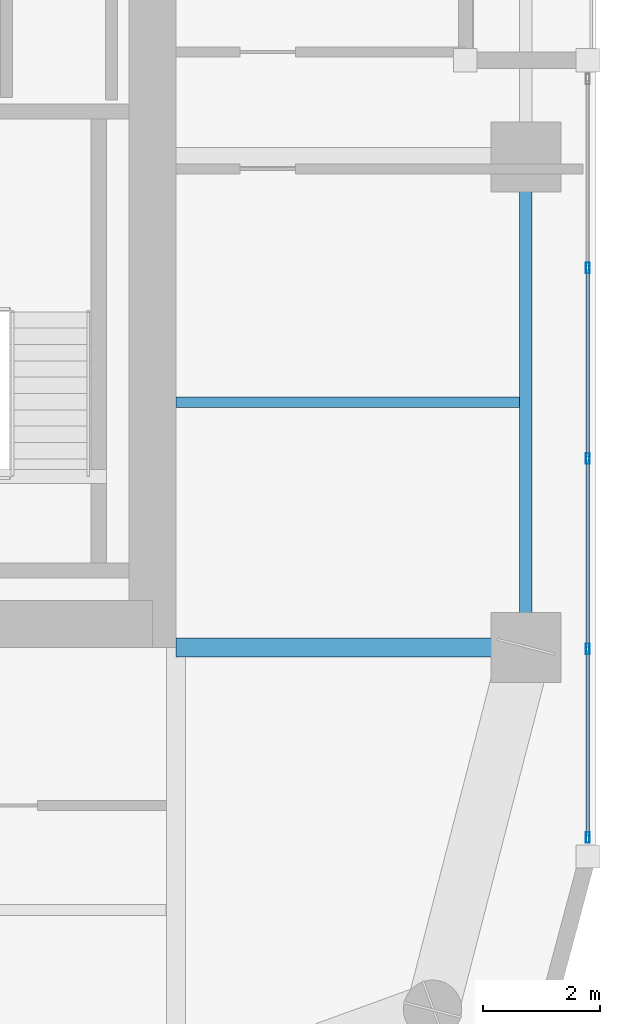
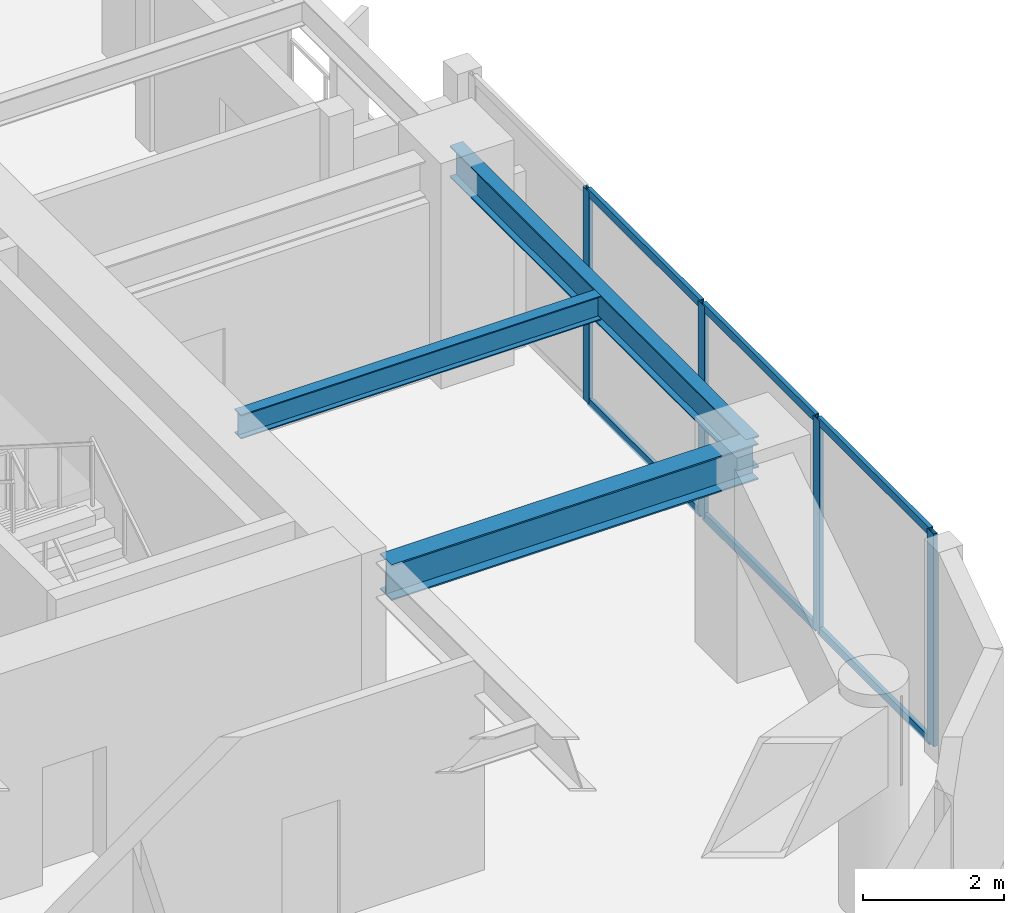
# One storey, part 9 of 30: 10 members, 3 beams, 1 element without a shape of its own.
"""IFC4 building model written with IfcOpenShell, lengths in metres."""

from ifc_helpers import new_model, si_unit, direction, frame, origin, origin_2d, place, context, subcontext, project, spatial, hollow_rectangle, i_section, extrude, material, layer, layer_set, material_profile, profile_set, type_object, element, aggregate, save


model = new_model("IFC4")

# Units and contexts
model_context = context("Model", 3, precision=1e-05, world=origin(), true_north=direction((0.0, 1.0)))
body_context = subcontext(model_context, "Body", "Model", "MODEL_VIEW")
ifc_project = project(units=[si_unit("LENGTHUNIT", "METRE"), si_unit("AREAUNIT", "SQUARE_METRE"), si_unit("VOLUMEUNIT", "CUBIC_METRE"), si_unit("PLANEANGLEUNIT", "RADIAN"), si_unit("MASSUNIT", "GRAM", prefix="KILO")], contexts=[model_context])

# Site, building, storey
site_placement = place(None, origin())
site = spatial("IfcSite", under=ifc_project, at=site_placement, CompositionType="ELEMENT")
building_placement = place(site_placement, origin())
building = spatial("IfcBuilding", under=site, at=building_placement, Name="Kiyonajd Concourse Tower", CompositionType="ELEMENT")
storey_placement = place(building_placement, frame((0.0, 0.0, 170.10009765625)))
storey = spatial("IfcBuildingStorey", under=building, at=storey_placement, Name="L43", CompositionType="ELEMENT", Elevation=170.10009765625)

# Beams
ifc_material_1 = material(Name="Steel ASTM A992 Grade 50", Category="steel")
ifc_material_profile_1 = material_profile(ifc_material_1, i_section(OverallWidth=0.180908203125, OverallDepth=0.4169921875, WebThickness=0.010986328125, FlangeThickness=0.018310546875, at=origin_2d()), Name="W410X85")
ifc_profile_set_1 = profile_set([ifc_material_profile_1], Name="Steel ASTM A992 Grade 50")
beam_type_1 = type_object("IfcBeamType", Name="BM-JST-410", PredefinedType="JOIST", material=ifc_profile_set_1)
beam_1_placement = place(storey_placement, frame((63.60009765625, 31.800048828125, 3.471435546875), z_axis=(1.0, 0.0, 0.0), x_axis=(0.0, 1.0, 0.0)))
element("IfcBeam", 1, at=beam_1_placement, inside=storey, type_object=beam_type_1, Name="L43 East Secondary Floor Joist", PredefinedType="JOIST", context=body_context, shape_type="SweptSolid", body=[
    extrude(i_section(OverallWidth=0.180908203125, OverallDepth=0.4169921875, WebThickness=0.010986328125, FlangeThickness=0.018310546875, at=origin_2d()), origin(), (0.0, 0.0, 1.0), 5.892822265625),
])
ifc_material_profile_2 = material_profile(ifc_material_1, i_section(OverallWidth=0.214111328125, OverallDepth=0.549072265625, WebThickness=0.0146484375, FlangeThickness=0.023681640625, at=origin_2d()), Name="W530X138")
ifc_profile_set_2 = profile_set([ifc_material_profile_2], Name="Steel ASTM A992 Grade 50")
beam_type_2 = type_object("IfcBeamType", Name="BM-SPAN-530A", PredefinedType="SPANDREL", material=ifc_profile_set_2)
beam_2_placement = place(storey_placement, frame((69.60009765625, 27.60009765625, 3.405517578125), z_axis=(0.0, 1.0, 0.0), x_axis=(-1.0, 0.0, 0.0)))
element("IfcBeam", 2, at=beam_2_placement, inside=storey, type_object=beam_type_2, Name="L43 Perimeter Bundled Tube Spandrel", PredefinedType="SPANDREL", context=body_context, shape_type="SweptSolid", body=[
    extrude(i_section(OverallWidth=0.214111328125, OverallDepth=0.549072265625, WebThickness=0.0146484375, FlangeThickness=0.023681640625, at=origin_2d()), origin(), (0.0, 0.0, 1.0), 8.39990234375),
])
ifc_material_profile_3 = material_profile(ifc_material_1, i_section(OverallWidth=0.326904296875, OverallDepth=0.6220703125, WebThickness=0.015380859375, FlangeThickness=0.0244140625, at=origin_2d()), Name="W610X195")
ifc_profile_set_3 = profile_set([ifc_material_profile_3], Name="Steel ASTM A992 Grade 50")
beam_type_3 = type_object("IfcBeamType", Name="BM-TWR-610A", PredefinedType="BEAM", material=ifc_profile_set_3)
beam_3_placement = place(storey_placement, frame((63.60009765625, 27.60009765625, 3.368896484375), z_axis=(1.0, 0.0, 0.0), x_axis=(0.0, 1.0, 0.0)))
element("IfcBeam", 3, at=beam_3_placement, inside=storey, type_object=beam_type_3, Name="L43 East Lease Girder", PredefinedType="BEAM", context=body_context, shape_type="SweptSolid", body=[
    extrude(i_section(OverallWidth=0.326904296875, OverallDepth=0.6220703125, WebThickness=0.015380859375, FlangeThickness=0.0244140625, at=origin_2d()), origin(), (0.0, 0.0, 1.0), 6.0),
])

# Curtain wall, members
ifc_material_2 = material(Name="Thermally Broken Anodised Aluminium", Category="aluminium")
ifc_layer = layer(ifc_material_2, 0.179931640625)
ifc_layer_set = layer_set([ifc_layer], Name="Thermally Broken Anodised Aluminium")
curtain_wall_type = type_object("IfcCurtainWallType", Name="CW-SYS-03", PredefinedType="NOTDEFINED", material=ifc_layer_set)
curtain_wall_placement = place(storey_placement, origin())
curtain_wall = element("IfcCurtainWall", 4, at=curtain_wall_placement, inside=storey, type_object=curtain_wall_type, Name="L43 Unitised Curtain Wall CW3", PredefinedType="NOTDEFINED")
ifc_material_profile_4 = material_profile(ifc_material_2, hollow_rectangle(XDim=0.06494140625, YDim=0.179931640625, WallThickness=0.00390625, at=origin_2d()), Name="MULL-65x180")
ifc_profile_set_4 = profile_set([ifc_material_profile_4], Name="Thermally Broken Anodised Aluminium")
member_type_1 = type_object("IfcMemberType", Name="MB-CW-MULL1", PredefinedType="MULLION", material=ifc_profile_set_4)
member_1_placement = place(storey_placement, frame((70.659912109375, 34.1044921875, 0.0), z_axis=(0.0, 0.0, 1.0), x_axis=(1.0, 0.0, 0.0)))
member_1 = element("IfcMember", 5, at=member_1_placement, type_object=member_type_1, Name="CW3 mullion 2", PredefinedType="MULLION", context=body_context, shape_type="SweptSolid", body=[
    extrude(hollow_rectangle(XDim=0.06494140625, YDim=0.179931640625, WallThickness=0.00390625, at=origin_2d()), origin(), (0.0, 0.0, 1.0), 3.679931640625),
])
member_2_placement = place(storey_placement, frame((70.659912109375, 30.839111328125, 0.0), z_axis=(0.0, 0.0, 1.0), x_axis=(1.0, 0.0, 0.0)))
member_2 = element("IfcMember", 6, at=member_2_placement, type_object=member_type_1, Name="CW3 mullion 3", PredefinedType="MULLION", context=body_context, shape_type="SweptSolid", body=[
    extrude(hollow_rectangle(XDim=0.06494140625, YDim=0.179931640625, WallThickness=0.00390625, at=origin_2d()), origin(), (0.0, 0.0, 1.0), 3.679931640625),
])
member_3_placement = place(storey_placement, frame((70.659912109375, 27.57373046875, 0.0), z_axis=(0.0, 0.0, 1.0), x_axis=(1.0, 0.0, 0.0)))
member_3 = element("IfcMember", 7, at=member_3_placement, type_object=member_type_1, Name="CW3 mullion 4", PredefinedType="MULLION", context=body_context, shape_type="SweptSolid", body=[
    extrude(hollow_rectangle(XDim=0.06494140625, YDim=0.179931640625, WallThickness=0.00390625, at=origin_2d()), origin(), (0.0, 0.0, 1.0), 3.679931640625),
])
member_4_placement = place(storey_placement, frame((70.659912109375, 24.3408203125, 0.0), z_axis=(0.0, 0.0, 1.0), x_axis=(1.0, 0.0, 0.0)))
member_4 = element("IfcMember", 8, at=member_4_placement, type_object=member_type_1, Name="CW3 mullion 5", PredefinedType="MULLION", context=body_context, shape_type="SweptSolid", body=[
    extrude(hollow_rectangle(XDim=0.06494140625, YDim=0.179931640625, WallThickness=0.00390625, at=origin_2d()), origin(), (0.0, 0.0, 1.0), 3.679931640625),
])
ifc_material_profile_5 = material_profile(ifc_material_2, hollow_rectangle(XDim=0.06494140625, YDim=0.139892578125, WallThickness=0.00390625, at=origin_2d()), Name="TRAN-65x140")
ifc_profile_set_5 = profile_set([ifc_material_profile_5], Name="Thermally Broken Anodised Aluminium")
member_type_2 = type_object("IfcMemberType", Name="MB-CW-TRAN1", PredefinedType="USERDEFINED", material=ifc_profile_set_5)
member_5_placement = place(storey_placement, frame((70.659912109375, 34.072021484375, 0.032470703125), z_axis=(0.0, -1.0, 0.0), x_axis=(1.0, 0.0, 0.0)))
member_5 = element("IfcMember", 9, at=member_5_placement, type_object=member_type_2, Name="CW3 transom 2.1", ObjectType="TRANSOM", PredefinedType="USERDEFINED", context=body_context, shape_type="SweptSolid", body=[
    extrude(hollow_rectangle(XDim=0.06494140625, YDim=0.139892578125, WallThickness=0.00390625, at=origin_2d()), origin(), (0.0, 0.0, 1.0), 3.200439453125),
])
member_6_placement = place(storey_placement, frame((70.659912109375, 34.072021484375, 3.6474609375), z_axis=(0.0, -1.0, 0.0), x_axis=(1.0, 0.0, 0.0)))
member_6 = element("IfcMember", 10, at=member_6_placement, type_object=member_type_2, Name="CW3 transom 2.2", ObjectType="TRANSOM", PredefinedType="USERDEFINED", context=body_context, shape_type="SweptSolid", body=[
    extrude(hollow_rectangle(XDim=0.06494140625, YDim=0.139892578125, WallThickness=0.00390625, at=origin_2d()), origin(), (0.0, 0.0, 1.0), 3.200439453125),
])
member_7_placement = place(storey_placement, frame((70.659912109375, 30.806640625, 0.032470703125), z_axis=(0.0, -1.0, 0.0), x_axis=(1.0, 0.0, 0.0)))
member_7 = element("IfcMember", 11, at=member_7_placement, type_object=member_type_2, Name="CW3 transom 3.1", ObjectType="TRANSOM", PredefinedType="USERDEFINED", context=body_context, shape_type="SweptSolid", body=[
    extrude(hollow_rectangle(XDim=0.06494140625, YDim=0.139892578125, WallThickness=0.00390625, at=origin_2d()), origin(), (0.0, 0.0, 1.0), 3.200439453125),
])
member_8_placement = place(storey_placement, frame((70.659912109375, 30.806640625, 3.6474609375), z_axis=(0.0, -1.0, 0.0), x_axis=(1.0, 0.0, 0.0)))
member_8 = element("IfcMember", 12, at=member_8_placement, type_object=member_type_2, Name="CW3 transom 3.2", ObjectType="TRANSOM", PredefinedType="USERDEFINED", context=body_context, shape_type="SweptSolid", body=[
    extrude(hollow_rectangle(XDim=0.06494140625, YDim=0.139892578125, WallThickness=0.00390625, at=origin_2d()), origin(), (0.0, 0.0, 1.0), 3.200439453125),
])
member_9_placement = place(storey_placement, frame((70.659912109375, 27.541259765625, 0.032470703125), z_axis=(0.0, -1.0, 0.0), x_axis=(1.0, 0.0, 0.0)))
member_9 = element("IfcMember", 13, at=member_9_placement, type_object=member_type_2, Name="CW3 transom 4.1", ObjectType="TRANSOM", PredefinedType="USERDEFINED", context=body_context, shape_type="SweptSolid", body=[
    extrude(hollow_rectangle(XDim=0.06494140625, YDim=0.139892578125, WallThickness=0.00390625, at=origin_2d()), origin(), (0.0, 0.0, 1.0), 3.16796875),
])
member_10_placement = place(storey_placement, frame((70.659912109375, 27.541259765625, 3.6474609375), z_axis=(0.0, -1.0, 0.0), x_axis=(1.0, 0.0, 0.0)))
member_10 = element("IfcMember", 14, at=member_10_placement, type_object=member_type_2, Name="CW3 transom 4.2", ObjectType="TRANSOM", PredefinedType="USERDEFINED", context=body_context, shape_type="SweptSolid", body=[
    extrude(hollow_rectangle(XDim=0.06494140625, YDim=0.139892578125, WallThickness=0.00390625, at=origin_2d()), origin(), (0.0, 0.0, 1.0), 3.16796875),
])
aggregate(curtain_wall, [member_1, member_2, member_3, member_4, member_5, member_6, member_7, member_8, member_9, member_10])

save(model, "model.ifc")
